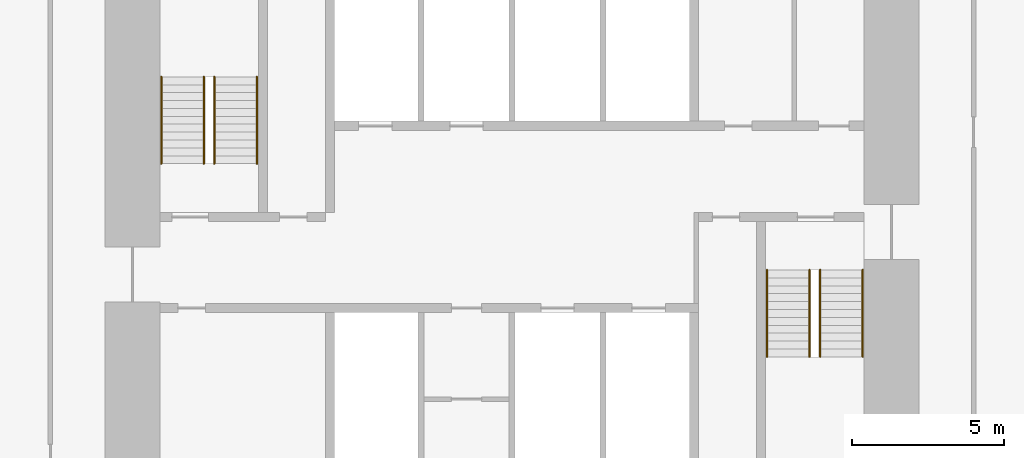
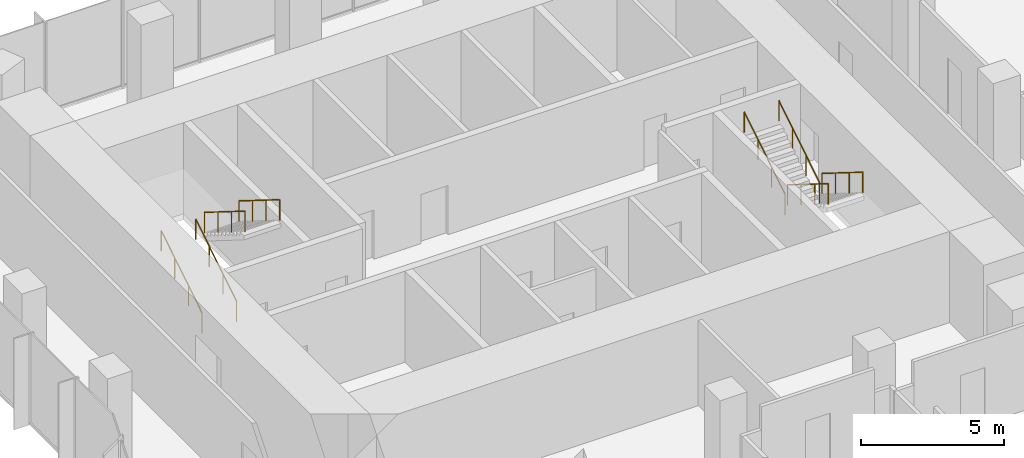
# One storey, part 11 of 11: 8 railings.
"""IFC4 building model written with IfcOpenShell, lengths in metres."""

from ifc_helpers import new_model, si_unit, direction, frame, origin, origin_2d, place, context, subcontext, project, spatial, circle, extrude, material, type_object, element, save


model = new_model("IFC4")

# Units and contexts
model_context = context("Model", 3, precision=1e-05, world=origin(), true_north=direction((0.0, 1.0)))
body_context = subcontext(model_context, "Body", "Model", "MODEL_VIEW")
ifc_project = project(units=[si_unit("LENGTHUNIT", "METRE"), si_unit("AREAUNIT", "SQUARE_METRE"), si_unit("VOLUMEUNIT", "CUBIC_METRE"), si_unit("PLANEANGLEUNIT", "RADIAN"), si_unit("MASSUNIT", "GRAM", prefix="KILO")], contexts=[model_context])

# Site, building, storey
site_placement = place(None, origin())
site = spatial("IfcSite", under=ifc_project, at=site_placement, CompositionType="ELEMENT")
building_placement = place(site_placement, origin())
building = spatial("IfcBuilding", under=site, at=building_placement, Name="Highveld Stack Headquarters", CompositionType="ELEMENT")
storey_placement = place(building_placement, frame((0.0, 0.0, 272.300048828125)))
storey = spatial("IfcBuildingStorey", under=building, at=storey_placement, Name="L67", CompositionType="ELEMENT", Elevation=272.300048828125)

# Railings
ifc_material = material(Name="Stainless steel handrail", Category="steel")
railing_type = type_object("IfcRailingType", Name="STAIR HANDRAIL HR1 900", PredefinedType="HANDRAIL", material=ifc_material)
for number, where, name in (
    (1, (-5.550048828125, 4.75, 0.162353515625), "Handrail S1 L67 flight 1"),
    (2, (-4.14990234375, 4.75, 0.162353515625), "Handrail S1 L67 flight 1"),
):
    element("IfcRailing", number, at=place(storey_placement, frame(where)), inside=storey, type_object=railing_type, Name=name, PredefinedType="HANDRAIL", context=body_context, shape_type="SweptSolid", body=[
        extrude(circle(Radius=0.02392578125, at=origin_2d()), frame((0.0, 0.0, 0.8759765625), z_axis=(0.0, 0.847994237388, 0.530005446535), x_axis=(-1.0, 0.0, 0.0)), (0.0, 0.0, 1.0), 3.372802734375),
        extrude(circle(Radius=0.02099609375, at=origin_2d()), origin(), (0.0, 0.0, 1.0), 0.851806640625),
        extrude(circle(Radius=0.02099609375, at=origin_2d()), frame((0.0, 0.953369140625, 0.595947265625)), (0.0, 0.0, 1.0), 0.851806640625),
        extrude(circle(Radius=0.02099609375, at=origin_2d()), frame((0.0, 1.90673828125, 1.191650390625)), (0.0, 0.0, 1.0), 0.851806640625),
        extrude(circle(Radius=0.02099609375, at=origin_2d()), frame((0.0, 2.860107421875, 1.78759765625)), (0.0, 0.0, 1.0), 0.851806640625),
    ])
for number, where, name in (
    (3, (-3.800048828125, 7.610107421875, 2.112548828125), "Handrail S1 L67 flight 2"),
    (4, (-2.39990234375, 7.610107421875, 2.112548828125), "Handrail S1 L67 flight 2"),
):
    element("IfcRailing", number, at=place(storey_placement, frame(where)), inside=storey, type_object=railing_type, Name=name, PredefinedType="HANDRAIL", context=body_context, shape_type="SweptSolid", body=[
        extrude(circle(Radius=0.02392578125, at=origin_2d()), frame((0.0, 0.0, 0.8759765625), z_axis=(0.0, -0.848026770018, 0.529953391661), x_axis=(1.0, 0.0, 0.0)), (0.0, 0.0, 1.0), 3.37255859375),
        extrude(circle(Radius=0.02099609375, at=origin_2d()), origin(), (0.0, 0.0, 1.0), 0.851806640625),
        extrude(circle(Radius=0.02099609375, at=origin_2d()), frame((0.0, -0.953369140625, 0.595703125)), (0.0, 0.0, 1.0), 0.851806640625),
        extrude(circle(Radius=0.02099609375, at=origin_2d()), frame((0.0, -1.90673828125, 1.191650390625)), (0.0, 0.0, 1.0), 0.851806640625),
        extrude(circle(Radius=0.02099609375, at=origin_2d()), frame((0.0, -2.860107421875, 1.787353515625)), (0.0, 0.0, 1.0), 0.851806640625),
    ])
for number, where, name in (
    (5, (16.14990234375, 1.25, 0.162353515625), "Handrail S2 L67 flight 1"),
    (6, (17.550048828125, 1.25, 0.162353515625), "Handrail S2 L67 flight 1"),
):
    element("IfcRailing", number, at=place(storey_placement, frame(where)), inside=storey, type_object=railing_type, Name=name, PredefinedType="HANDRAIL", context=body_context, shape_type="SweptSolid", body=[
        extrude(circle(Radius=0.02392578125, at=origin_2d()), frame((0.0, 0.0, 0.8759765625), z_axis=(0.0, -0.847994237388, 0.530005446535), x_axis=(1.0, 0.0, 0.0)), (0.0, 0.0, 1.0), 3.372802734375),
        extrude(circle(Radius=0.02099609375, at=origin_2d()), origin(), (0.0, 0.0, 1.0), 0.851806640625),
        extrude(circle(Radius=0.02099609375, at=origin_2d()), frame((0.0, -0.953369140625, 0.595947265625)), (0.0, 0.0, 1.0), 0.851806640625),
        extrude(circle(Radius=0.02099609375, at=origin_2d()), frame((0.0, -1.90673828125, 1.191650390625)), (0.0, 0.0, 1.0), 0.851806640625),
        extrude(circle(Radius=0.02099609375, at=origin_2d()), frame((0.0, -2.860107421875, 1.78759765625)), (0.0, 0.0, 1.0), 0.851806640625),
    ])
for number, where, name in (
    (7, (14.39990234375, -1.610107421875, 2.112548828125), "Handrail S2 L67 flight 2"),
    (8, (15.800048828125, -1.610107421875, 2.112548828125), "Handrail S2 L67 flight 2"),
):
    element("IfcRailing", number, at=place(storey_placement, frame(where)), inside=storey, type_object=railing_type, Name=name, PredefinedType="HANDRAIL", context=body_context, shape_type="SweptSolid", body=[
        extrude(circle(Radius=0.02392578125, at=origin_2d()), frame((0.0, 0.0, 0.8759765625), z_axis=(0.0, 0.848026770018, 0.529953391661), x_axis=(-1.0, 0.0, 0.0)), (0.0, 0.0, 1.0), 3.37255859375),
        extrude(circle(Radius=0.02099609375, at=origin_2d()), origin(), (0.0, 0.0, 1.0), 0.851806640625),
        extrude(circle(Radius=0.02099609375, at=origin_2d()), frame((0.0, 0.953369140625, 0.595703125)), (0.0, 0.0, 1.0), 0.851806640625),
        extrude(circle(Radius=0.02099609375, at=origin_2d()), frame((0.0, 1.90673828125, 1.191650390625)), (0.0, 0.0, 1.0), 0.851806640625),
        extrude(circle(Radius=0.02099609375, at=origin_2d()), frame((0.0, 2.860107421875, 1.787353515625)), (0.0, 0.0, 1.0), 0.851806640625),
    ])

save(model, "model.ifc")
